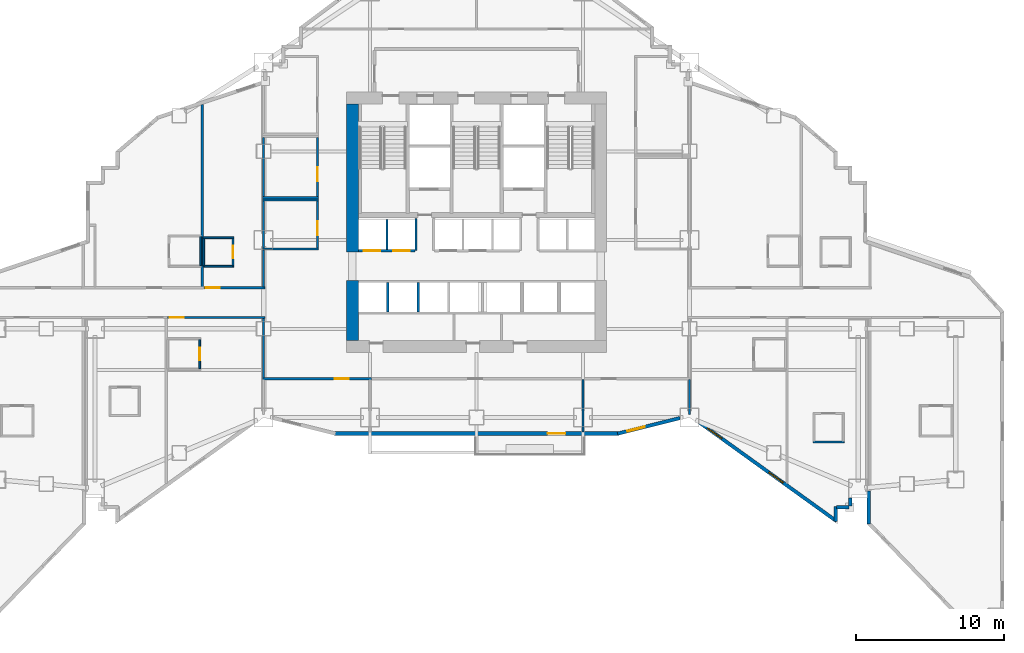
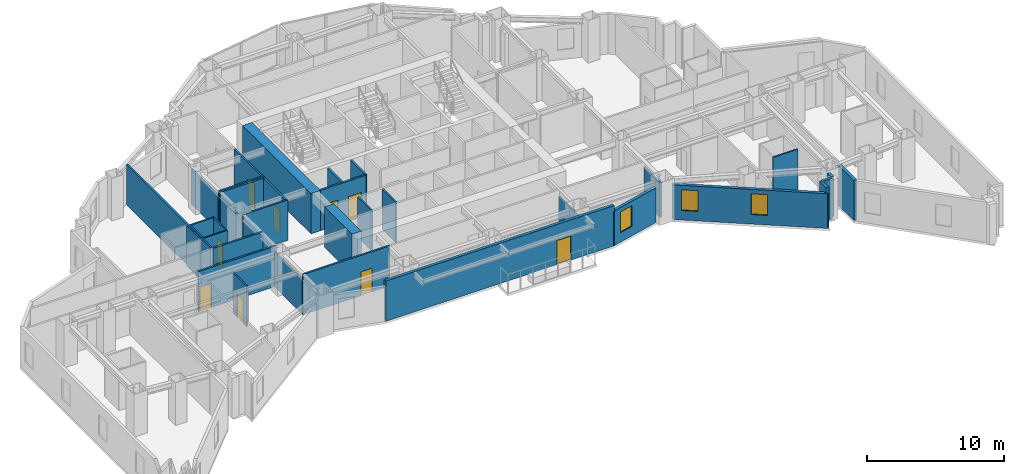
# One storey, part 8 of 17: 36 walls, 10 doors, 3 windows, 13 openings.
"""IFC4 building model written with IfcOpenShell, lengths in metres."""

from ifc_helpers import new_model, si_unit, direction, frame, frame_2d, origin, place, context, subcontext, project, spatial, rectangle, extrude, material, layer, layer_set, type_object, element, fill, save


model = new_model("IFC4")

# Units and contexts
model_context = context("Model", 3, precision=1e-05, world=origin(), true_north=direction((0.0, 1.0)))
body_context = subcontext(model_context, "Body", "Model", "MODEL_VIEW")
ifc_project = project(units=[si_unit("LENGTHUNIT", "METRE"), si_unit("AREAUNIT", "SQUARE_METRE"), si_unit("VOLUMEUNIT", "CUBIC_METRE"), si_unit("PLANEANGLEUNIT", "RADIAN"), si_unit("MASSUNIT", "GRAM", prefix="KILO")], contexts=[model_context])

# Site, building, storey
site_placement = place(None, origin())
site = spatial("IfcSite", under=ifc_project, at=site_placement, CompositionType="ELEMENT")
building_placement = place(site_placement, origin())
building = spatial("IfcBuilding", under=site, at=building_placement, Name="Haolan Belvedere Tower", CompositionType="ELEMENT")
storey_placement = place(building_placement, frame((0.0, 0.0, 35.39990234375)))
storey = spatial("IfcBuildingStorey", under=building, at=storey_placement, Name="L08", CompositionType="ELEMENT", Elevation=35.39990234375)

# Walls
ifc_material_1 = material(Name="Concrete C70/85", Category="concrete")
ifc_layer_1 = layer(ifc_material_1, 0.800048828125, Name="Concrete C70/85")
ifc_layer_set_1 = layer_set([ifc_layer_1], Name="Concrete C70/85")
wall_type_1 = type_object("IfcWallType", Name="WL-CORE-800", PredefinedType="SHEAR", material=ifc_layer_set_1)
wall_1_placement = place(storey_placement, frame((30.0, 26.800048828125, 0.0), z_axis=(0.0, 0.0, 1.0), x_axis=(0.0, 1.0, 0.0)))
element("IfcWall", 1, at=wall_1_placement, inside=storey, type_object=wall_type_1, Name="L08 central core shear wall WS", PredefinedType="SHEAR", context=body_context, shape_type="SweptSolid", body=[
    extrude(rectangle(XDim=4.050048828125, YDim=0.800048828125, at=frame_2d((2.02490234375, 0.0))), origin(), (0.0, 0.0, 1.0), 3.60009765625),
])
wall_2_placement = place(storey_placement, frame((30.0, 32.800048828125, 0.0), z_axis=(0.0, 0.0, 1.0), x_axis=(0.0, 1.0, 0.0)))
element("IfcWall", 2, at=wall_2_placement, inside=storey, type_object=wall_type_1, Name="L08 central core shear wall WN", PredefinedType="SHEAR", context=body_context, shape_type="SweptSolid", body=[
    extrude(rectangle(XDim=10.0, YDim=0.800048828125, at=frame_2d((5.0, 0.0))), origin(), (0.0, 0.0, 1.0), 3.60009765625),
])

# Wall, opening, door
ifc_material_2 = material(Name="Precast concrete C40/50", Category="concrete")
ifc_layer_2 = layer(ifc_material_2, 0.239990234375, Name="Precast concrete C40/50")
ifc_layer_set_2 = layer_set([ifc_layer_2], Name="Precast concrete C40/50")
wall_type_2 = type_object("IfcWallType", Name="WL-EXT-240", PredefinedType="SOLIDWALL", material=ifc_layer_set_2)
wall_3_placement = place(storey_placement, frame((28.759765625, 20.52001953125, 0.0), z_axis=(0.0, 0.0, 1.0), x_axis=(1.0, 0.0, 0.0)))
wall_3 = element("IfcWall", 3, at=wall_3_placement, inside=storey, type_object=wall_type_2, Name="L08 pale-metal exterior spandrel wall 13.1", PredefinedType="SOLIDWALL", context=body_context, shape_type="SweptSolid", body=[
    extrude(rectangle(XDim=19.280517578125, YDim=0.239990234375, at=frame_2d((9.64013671875, 0.0))), origin(), (0.0, 0.0, 1.0), 3.60009765625),
])
opening_1_placement = place(wall_3_placement, frame((15.64013671875, 0.0, 0.0), z_axis=(0.0, 0.0, 1.0), x_axis=(-1.0, 0.0, 0.0)))
opening_1 = element("IfcOpeningElement", 4, at=opening_1_placement, cuts=wall_3, Name="Opening BD-01", PredefinedType="OPENING", context=body_context, shape_type="SweptSolid", body=[
    extrude(rectangle(XDim=1.199951171875, YDim=2.14990234375, at=frame_2d((0.60009765625, 1.074951171875))), frame((0.0, 0.1298828125, 0.0), z_axis=(0.0, -1.0, 0.0), x_axis=(1.0, 0.0, 0.0)), (0.0, 0.0, 1.0), 0.260009765625),
])
ifc_material_3 = material(Name="Thermally broken pale-metal aluminium and Low-E glass", Category="aluminium")
door_type_1 = type_object("IfcDoorType", Name="DR-BAL-1200", OperationType="NOTDEFINED", PredefinedType="DOOR", material=ifc_material_3)
door_1_placement = place(opening_1_placement, origin())
door_1 = element("IfcDoor", 5, at=door_1_placement, inside=storey, type_object=door_type_1, Name="L08 tree-balcony access door 1", OperationType="SINGLE_SWING_RIGHT", OverallHeight=2.14990234375, OverallWidth=1.199951171875, PredefinedType="DOOR", context=body_context, shape_type="SweptSolid", body=[
    extrude(rectangle(XDim=1.199951171875, YDim=2.14990234375, at=frame_2d((0.60009765625, 1.074951171875))), frame((0.0, 0.02490234375, 0.0), z_axis=(0.0, -1.0, 0.0), x_axis=(1.0, 0.0, 0.0)), (0.0, 0.0, 1.0), 0.050048828125),
])
fill(opening_1, door_1)

# Wall, opening, window
wall_4_placement = place(storey_placement, frame((47.931884765625, 20.506591796875, 0.0), z_axis=(0.0, 0.0, 1.0), x_axis=(0.970135906278, 0.242561998982, 0.0)))
wall_4 = element("IfcWall", 6, at=wall_4_placement, inside=storey, type_object=wall_type_2, Name="L08 pale-metal exterior spandrel wall 14.1", PredefinedType="SOLIDWALL", context=body_context, shape_type="SweptSolid", body=[
    extrude(rectangle(XDim=4.356201171875, YDim=0.239990234375, at=frame_2d((2.17822265625, 0.0))), origin(), (0.0, 0.0, 1.0), 3.09716796875),
])
opening_2_placement = place(wall_4_placement, frame((0.699951171875, 0.0, 0.85009765625)))
opening_2 = element("IfcOpeningElement", 7, at=opening_2_placement, cuts=wall_4, Name="Opening W-01", PredefinedType="OPENING", context=body_context, shape_type="SweptSolid", body=[
    extrude(rectangle(XDim=1.199951171875, YDim=1.85009765625, at=frame_2d((0.60009765625, 0.925048828125))), frame((0.0, 0.1298828125, 0.0), z_axis=(0.0, -1.0, 0.0), x_axis=(1.0, 0.0, 0.0)), (0.0, 0.0, 1.0), 0.260009765625),
])
ifc_material_4 = material(Name="Anodised aluminium 6063-T6 and Low-E glass", Category="aluminium")
window_type = type_object("IfcWindowType", Name="WN-DECO-Z1", PartitioningType="SINGLE_PANEL", PredefinedType="WINDOW", material=ifc_material_4)
window_1_placement = place(opening_2_placement, origin())
window_1 = element("IfcWindow", 8, at=window_1_placement, inside=storey, type_object=window_type, Name="L08 Art Deco chevron window 1", OverallHeight=1.85009765625, OverallWidth=1.199951171875, PartitioningType="SINGLE_PANEL", PredefinedType="WINDOW", context=body_context, shape_type="SweptSolid", body=[
    extrude(rectangle(XDim=1.199951171875, YDim=1.85009765625, at=frame_2d((0.60009765625, 0.925048828125))), frame((0.0, 0.030029296875, 0.0), z_axis=(0.0, -1.0, 0.0), x_axis=(1.0, 0.0, 0.0)), (0.0, 0.0, 1.0), 0.06005859375),
])
fill(opening_2, window_1)

# Wall, openings, windows
wall_5_placement = place(storey_placement, frame((53.44189453125, 21.28564453125, 0.0), z_axis=(0.0, 0.0, 1.0), x_axis=(0.811542842993, -0.584292917967, 0.0)))
wall_5 = element("IfcWall", 9, at=wall_5_placement, inside=storey, type_object=wall_type_2, Name="L08 pale-metal exterior spandrel wall 15.1", PredefinedType="SOLIDWALL", context=body_context, shape_type="SweptSolid", body=[
    extrude(rectangle(XDim=11.4384765625, YDim=0.239990234375, at=frame_2d((5.71923828125, 0.0))), origin(), (0.0, 0.0, 1.0), 3.09716796875),
])
opening_3_placement = place(wall_5_placement, frame((0.699951171875, 0.0, 0.85009765625)))
opening_3 = element("IfcOpeningElement", 10, at=opening_3_placement, cuts=wall_5, Name="Opening W-01", PredefinedType="OPENING", context=body_context, shape_type="SweptSolid", body=[
    extrude(rectangle(XDim=1.199951171875, YDim=1.85009765625, at=frame_2d((0.60009765625, 0.925048828125))), frame((0.0, 0.1298828125, 0.0), z_axis=(0.0, -1.0, 0.0), x_axis=(1.0, 0.0, 0.0)), (0.0, 0.0, 1.0), 0.260009765625),
])
opening_4_placement = place(wall_5_placement, frame((5.818603515625, 0.0, 0.85009765625)))
opening_4 = element("IfcOpeningElement", 11, at=opening_4_placement, cuts=wall_5, Name="Opening W-01", PredefinedType="OPENING", context=body_context, shape_type="SweptSolid", body=[
    extrude(rectangle(XDim=1.199951171875, YDim=1.85009765625, at=frame_2d((0.60009765625, 0.925048828125))), frame((0.0, 0.1298828125, 0.0), z_axis=(0.0, -1.0, 0.0), x_axis=(1.0, 0.0, 0.0)), (0.0, 0.0, 1.0), 0.260009765625),
])
window_2_placement = place(opening_3_placement, origin())
window_2 = element("IfcWindow", 12, at=window_2_placement, inside=storey, type_object=window_type, Name="L08 Art Deco chevron window 1", OverallHeight=1.85009765625, OverallWidth=1.199951171875, PartitioningType="SINGLE_PANEL", PredefinedType="WINDOW", context=body_context, shape_type="SweptSolid", body=[
    extrude(rectangle(XDim=1.199951171875, YDim=1.85009765625, at=frame_2d((0.60009765625, 0.925048828125))), frame((0.0, 0.030029296875, 0.0), z_axis=(0.0, -1.0, 0.0), x_axis=(1.0, 0.0, 0.0)), (0.0, 0.0, 1.0), 0.06005859375),
])
fill(opening_3, window_2)
window_3_placement = place(opening_4_placement, origin())
window_3 = element("IfcWindow", 13, at=window_3_placement, inside=storey, type_object=window_type, Name="L08 Art Deco chevron window 2", OverallHeight=1.85009765625, OverallWidth=1.199951171875, PartitioningType="SINGLE_PANEL", PredefinedType="WINDOW", context=body_context, shape_type="SweptSolid", body=[
    extrude(rectangle(XDim=1.199951171875, YDim=1.85009765625, at=frame_2d((0.60009765625, 0.925048828125))), frame((0.0, 0.030029296875, 0.0), z_axis=(0.0, -1.0, 0.0), x_axis=(1.0, 0.0, 0.0)), (0.0, 0.0, 1.0), 0.06005859375),
])
fill(opening_4, window_3)

# Walls
wall_6_placement = place(storey_placement, frame((62.679931640625, 14.579345703125, 0.0), z_axis=(0.0, 0.0, 1.0), x_axis=(0.0, 1.0, 0.0)))
element("IfcWall", 14, at=wall_6_placement, inside=storey, type_object=wall_type_2, Name="L08 pale-metal exterior spandrel wall 16.1", PredefinedType="SOLIDWALL", context=body_context, shape_type="SweptSolid", body=[
    extrude(rectangle(XDim=0.99560546875, YDim=0.239990234375, at=frame_2d((0.497802734375, 0.0))), origin(), (0.0, 0.0, 1.0), 3.60009765625),
])
wall_7_placement = place(storey_placement, frame((62.7451171875, 15.52001953125, 0.0), z_axis=(0.0, 0.0, 1.0), x_axis=(1.0, 0.0, 0.0)))
element("IfcWall", 15, at=wall_7_placement, inside=storey, type_object=wall_type_2, Name="L08 pale-metal exterior spandrel wall 17.1", PredefinedType="SOLIDWALL", context=body_context, shape_type="SweptSolid", body=[
    extrude(rectangle(XDim=0.849853515625, YDim=0.239990234375, at=frame_2d((0.4248046875, 0.0))), origin(), (0.0, 0.0, 1.0), 3.60009765625),
])
wall_8_placement = place(storey_placement, frame((63.679931640625, 15.60498046875, 0.0), z_axis=(0.0, 0.0, 1.0), x_axis=(0.0, 1.0, 0.0)))
element("IfcWall", 16, at=wall_8_placement, inside=storey, type_object=wall_type_2, Name="L08 pale-metal exterior spandrel wall 18.1", PredefinedType="SOLIDWALL", context=body_context, shape_type="SweptSolid", body=[
    extrude(rectangle(XDim=0.552978515625, YDim=0.239990234375, at=frame_2d((0.2763671875, 0.0))), origin(), (0.0, 0.0, 1.0), 3.60009765625),
])
wall_9_placement = place(storey_placement, frame((64.919921875, 16.639892578125, 0.0), z_axis=(0.0, 0.0, 1.0), x_axis=(0.0, -1.0, 0.0)))
element("IfcWall", 17, at=wall_9_placement, inside=storey, type_object=wall_type_2, Name="L08 pale-metal exterior spandrel wall 20.1", PredefinedType="SOLIDWALL", context=body_context, shape_type="SweptSolid", body=[
    extrude(rectangle(XDim=2.246337890625, YDim=0.239990234375, at=frame_2d((1.123046875, 0.0))), origin(), (0.0, 0.0, 1.0), 3.60009765625),
])
ifc_material_5 = material(Name="Double gypsum acoustic stud partition", Category="masonry")
ifc_layer_3 = layer(ifc_material_5, 0.14990234375, Name="Double gypsum acoustic stud partition")
ifc_layer_set_3 = layer_set([ifc_layer_3], Name="Double gypsum acoustic stud partition")
wall_type_3 = type_object("IfcWallType", Name="WL-PART-150", PredefinedType="PARTITIONING", material=ifc_layer_set_3)
for number, where, z_axis, x_axis, name in (
    (18, (23.919921875, 36.300048828125, 0.0), (0.0, 0.0, 1.0), (1.0, 0.0, 0.0), "L08 interior partition IW-L08-AWC-N"),
    (19, (23.919921875, 33.0, 0.0), (0.0, 0.0, 1.0), (1.0, 0.0, 0.0), "L08 interior partition IW-L08-AWC-S"),
):
    element("IfcWall", number, at=place(storey_placement, frame(where, z_axis=z_axis, x_axis=x_axis)), inside=storey, type_object=wall_type_3, Name=name, PredefinedType="PARTITIONING", context=body_context, shape_type="SweptSolid", body=[
        extrude(rectangle(XDim=3.800048828125, YDim=0.14990234375, at=frame_2d((1.89990234375, 0.0))), origin(), (0.0, 0.0, 1.0), 3.60009765625),
    ])
wall_10_placement = place(storey_placement, frame((24.0, 33.06005859375, 0.0), z_axis=(0.0, 0.0, 1.0), x_axis=(0.0, 1.0, 0.0)))
element("IfcWall", 20, at=wall_10_placement, inside=storey, type_object=wall_type_3, Name="L08 interior partition IW-L08-AWC-W", PredefinedType="PARTITIONING", context=body_context, shape_type="SweptSolid", body=[
    extrude(rectangle(XDim=3.179931640625, YDim=0.14990234375, at=frame_2d((1.58984375, 0.0))), origin(), (0.0, 0.0, 1.0), 3.09716796875),
])

# Wall, opening, door
wall_11_placement = place(storey_placement, frame((27.639892578125, 33.06005859375, 0.0), z_axis=(0.0, 0.0, 1.0), x_axis=(0.0, 1.0, 0.0)))
wall_11 = element("IfcWall", 21, at=wall_11_placement, inside=storey, type_object=wall_type_3, Name="L08 interior partition IW-L08-AWC-E", PredefinedType="PARTITIONING", context=body_context, shape_type="SweptSolid", body=[
    extrude(rectangle(XDim=3.179931640625, YDim=0.14990234375, at=frame_2d((1.58984375, 0.0))), origin(), (0.0, 0.0, 1.0), 3.60009765625),
])
opening_5_placement = place(wall_11_placement, frame((1.81005859375, 0.0, 0.0), z_axis=(0.0, 0.0, 1.0), x_axis=(-1.0, 0.0, 0.0)))
opening_5 = element("IfcOpeningElement", 22, at=opening_5_placement, cuts=wall_11, Name="Opening ID-03", PredefinedType="OPENING", context=body_context, shape_type="SweptSolid", body=[
    extrude(rectangle(XDim=0.949951171875, YDim=2.1201171875, at=frame_2d((0.47509765625, 1.06005859375))), frame((0.0, 0.0849609375, 0.0), z_axis=(0.0, -1.0, 0.0), x_axis=(1.0, 0.0, 0.0)), (0.0, 0.0, 1.0), 0.169921875),
])
ifc_material_6 = material(Name="Painted solid-core timber", Category="wood")
door_type_2 = type_object("IfcDoorType", Name="DR-INT-950", OperationType="NOTDEFINED", PredefinedType="DOOR", material=ifc_material_6)
door_2_placement = place(opening_5_placement, origin())
door_2 = element("IfcDoor", 23, at=door_2_placement, inside=storey, type_object=door_type_2, Name="L08 door ID-L08-AWC", OperationType="SINGLE_SWING_LEFT", OverallHeight=2.1201171875, OverallWidth=0.949951171875, PredefinedType="DOOR", context=body_context, shape_type="SweptSolid", body=[
    extrude(rectangle(XDim=0.949951171875, YDim=2.1201171875, at=frame_2d((0.47509765625, 1.06005859375))), frame((0.0, 0.02490234375, 0.0), z_axis=(0.0, -1.0, 0.0), x_axis=(1.0, 0.0, 0.0)), (0.0, 0.0, 1.0), 0.050048828125),
])
fill(opening_5, door_2)

# Walls
wall_12_placement = place(storey_placement, frame((23.919921875, 36.4599609375, 0.0), z_axis=(0.0, 0.0, 1.0), x_axis=(1.0, 0.0, 0.0)))
element("IfcWall", 24, at=wall_12_placement, inside=storey, type_object=wall_type_3, Name="L08 interior partition IW-L08-PNT-S", PredefinedType="PARTITIONING", context=body_context, shape_type="SweptSolid", body=[
    extrude(rectangle(XDim=3.800048828125, YDim=0.14990234375, at=frame_2d((1.89990234375, 0.0))), origin(), (0.0, 0.0, 1.0), 3.60009765625),
])
wall_13_placement = place(storey_placement, frame((24.0, 36.52001953125, 0.0), z_axis=(0.0, 0.0, 1.0), x_axis=(0.0, 1.0, 0.0)))
element("IfcWall", 25, at=wall_13_placement, inside=storey, type_object=wall_type_3, Name="L08 interior partition IW-L08-PNT-W", PredefinedType="PARTITIONING", context=body_context, shape_type="SweptSolid", body=[
    extrude(rectangle(XDim=4.02001953125, YDim=0.14990234375, at=frame_2d((2.010009765625, 0.0))), origin(), (0.0, 0.0, 1.0), 3.09716796875),
])

# Wall, opening, door
wall_14_placement = place(storey_placement, frame((27.639892578125, 36.52001953125, 0.0), z_axis=(0.0, 0.0, 1.0), x_axis=(0.0, 1.0, 0.0)))
wall_14 = element("IfcWall", 26, at=wall_14_placement, inside=storey, type_object=wall_type_3, Name="L08 interior partition IW-L08-PNT-E", PredefinedType="PARTITIONING", context=body_context, shape_type="SweptSolid", body=[
    extrude(rectangle(XDim=4.02001953125, YDim=0.14990234375, at=frame_2d((2.010009765625, 0.0))), origin(), (0.0, 0.0, 1.0), 3.60009765625),
])
opening_6_placement = place(wall_14_placement, frame((2.010009765625, 0.0, 0.0), z_axis=(0.0, 0.0, 1.0), x_axis=(-1.0, 0.0, 0.0)))
opening_6 = element("IfcOpeningElement", 27, at=opening_6_placement, cuts=wall_14, Name="Opening ID-03", PredefinedType="OPENING", context=body_context, shape_type="SweptSolid", body=[
    extrude(rectangle(XDim=0.949951171875, YDim=2.1201171875, at=frame_2d((0.47509765625, 1.06005859375))), frame((0.0, 0.0849609375, 0.0), z_axis=(0.0, -1.0, 0.0), x_axis=(1.0, 0.0, 0.0)), (0.0, 0.0, 1.0), 0.169921875),
])
door_3_placement = place(opening_6_placement, origin())
door_3 = element("IfcDoor", 28, at=door_3_placement, inside=storey, type_object=door_type_2, Name="L08 door ID-L08-PNT", OperationType="SINGLE_SWING_RIGHT", OverallHeight=2.1201171875, OverallWidth=0.949951171875, PredefinedType="DOOR", context=body_context, shape_type="SweptSolid", body=[
    extrude(rectangle(XDim=0.949951171875, YDim=2.1201171875, at=frame_2d((0.47509765625, 1.06005859375))), frame((0.0, 0.02490234375, 0.0), z_axis=(0.0, -1.0, 0.0), x_axis=(1.0, 0.0, 0.0)), (0.0, 0.0, 1.0), 0.050048828125),
])
fill(opening_6, door_3)

wall_15_placement = place(storey_placement, frame((23.919921875, 24.219970703125, 0.0), z_axis=(0.0, 0.0, 1.0), x_axis=(1.0, 0.0, 0.0)))
wall_15 = element("IfcWall", 29, at=wall_15_placement, inside=storey, type_object=wall_type_3, Name="L08 interior partition IW-L08-KS1-N", PredefinedType="PARTITIONING", context=body_context, shape_type="SweptSolid", body=[
    extrude(rectangle(XDim=7.360107421875, YDim=0.14990234375, at=frame_2d((3.68017578125, 0.0))), origin(), (0.0, 0.0, 1.0), 3.60009765625),
])
opening_7_placement = place(wall_15_placement, frame((5.844970703125, 0.0, 0.0), z_axis=(0.0, 0.0, 1.0), x_axis=(-1.0, 0.0, 0.0)))
opening_7 = element("IfcOpeningElement", 30, at=opening_7_placement, cuts=wall_15, Name="Opening ID-03", PredefinedType="OPENING", context=body_context, shape_type="SweptSolid", body=[
    extrude(rectangle(XDim=0.949951171875, YDim=2.1201171875, at=frame_2d((0.47509765625, 1.06005859375))), frame((0.0, 0.0849609375, 0.0), z_axis=(0.0, -1.0, 0.0), x_axis=(1.0, 0.0, 0.0)), (0.0, 0.0, 1.0), 0.169921875),
])
door_4_placement = place(opening_7_placement, origin())
door_4 = element("IfcDoor", 31, at=door_4_placement, inside=storey, type_object=door_type_2, Name="L08 door ID-L08-KS1", OperationType="SINGLE_SWING_RIGHT", OverallHeight=2.1201171875, OverallWidth=0.949951171875, PredefinedType="DOOR", context=body_context, shape_type="SweptSolid", body=[
    extrude(rectangle(XDim=0.949951171875, YDim=2.1201171875, at=frame_2d((0.47509765625, 1.06005859375))), frame((0.0, 0.02490234375, 0.0), z_axis=(0.0, -1.0, 0.0), x_axis=(1.0, 0.0, 0.0)), (0.0, 0.0, 1.0), 0.050048828125),
])
fill(opening_7, door_4)

# Walls
wall_16_placement = place(storey_placement, frame((45.60009765625, 20.625, 0.0), z_axis=(0.0, 0.0, 1.0), x_axis=(0.0, 1.0, 0.0)))
element("IfcWall", 32, at=wall_16_placement, inside=storey, type_object=wall_type_3, Name="L08 interior partition IW-L08-KS2-E", PredefinedType="PARTITIONING", context=body_context, shape_type="SweptSolid", body=[
    extrude(rectangle(XDim=3.534912109375, YDim=0.14990234375, at=frame_2d((1.767578125, 0.0))), origin(), (0.0, 0.0, 1.0), 2.985107421875),
])
wall_17_placement = place(storey_placement, frame((52.800048828125, 21.818603515625, 0.0), z_axis=(0.0, 0.0, 1.0), x_axis=(0.0, 1.0, 0.0)))
element("IfcWall", 33, at=wall_17_placement, inside=storey, type_object=wall_type_3, Name="L08 interior partition IW-L08-KS3-E", PredefinedType="PARTITIONING", context=body_context, shape_type="SweptSolid", body=[
    extrude(rectangle(XDim=2.34130859375, YDim=0.14990234375, at=frame_2d((1.170654296875, 0.0))), origin(), (0.0, 0.0, 1.0), 3.09716796875),
])
wall_18_placement = place(storey_placement, frame((19.85009765625, 30.43994140625, 0.0), z_axis=(0.0, 0.0, 1.0), x_axis=(0.0, 1.0, 0.0)))
element("IfcWall", 34, at=wall_18_placement, inside=storey, type_object=wall_type_3, Name="L08 interior partition IW-L08-T2N1-E", PredefinedType="PARTITIONING", context=body_context, shape_type="SweptSolid", body=[
    extrude(rectangle(XDim=12.339599609375, YDim=0.14990234375, at=frame_2d((6.169921875, 0.0))), origin(), (0.0, 0.0, 1.0), 3.60009765625),
])

# Wall, opening, door
wall_19_placement = place(storey_placement, frame((19.951904296875, 30.3798828125, 0.0), z_axis=(0.0, 0.0, 1.0), x_axis=(1.0, 0.0, 0.0)))
wall_19 = element("IfcWall", 35, at=wall_19_placement, inside=storey, type_object=wall_type_3, Name="L08 interior partition IW-L08-T2N2-S", PredefinedType="PARTITIONING", context=body_context, shape_type="SweptSolid", body=[
    extrude(rectangle(XDim=4.148193359375, YDim=0.14990234375, at=frame_2d((2.07421875, 0.0))), origin(), (0.0, 0.0, 1.0), 3.60009765625),
])
opening_8_placement = place(wall_19_placement, frame((0.139892578125, 0.0, 0.0)))
opening_8 = element("IfcOpeningElement", 36, at=opening_8_placement, cuts=wall_19, Name="Opening ID-02", PredefinedType="OPENING", context=body_context, shape_type="SweptSolid", body=[
    extrude(rectangle(XDim=0.949951171875, YDim=2.14990234375, at=frame_2d((0.47509765625, 1.074951171875))), frame((0.0, 0.0849609375, 0.0), z_axis=(0.0, -1.0, 0.0), x_axis=(1.0, 0.0, 0.0)), (0.0, 0.0, 1.0), 0.169921875),
])
ifc_material_7 = material(Name="Acoustic oak veneer fire-rated timber", Category="wood")
door_type_3 = type_object("IfcDoorType", Name="DR-GUEST-950", OperationType="NOTDEFINED", PredefinedType="DOOR", material=ifc_material_7)
door_5_placement = place(opening_8_placement, origin())
door_5 = element("IfcDoor", 37, at=door_5_placement, inside=storey, type_object=door_type_3, Name="L08 door ID-L08-T2N2-ENT", OperationType="SINGLE_SWING_RIGHT", OverallHeight=2.14990234375, OverallWidth=0.949951171875, PredefinedType="DOOR", context=body_context, shape_type="SweptSolid", body=[
    extrude(rectangle(XDim=0.949951171875, YDim=2.14990234375, at=frame_2d((0.47509765625, 1.074951171875))), frame((0.0, 0.02490234375, 0.0), z_axis=(0.0, -1.0, 0.0), x_axis=(1.0, 0.0, 0.0)), (0.0, 0.0, 1.0), 0.050048828125),
])
fill(opening_8, door_5)

# Wall
wall_20_placement = place(storey_placement, frame((24.0, 30.43994140625, 0.0), z_axis=(0.0, 0.0, 1.0), x_axis=(0.0, 1.0, 0.0)))
element("IfcWall", 38, at=wall_20_placement, inside=storey, type_object=wall_type_3, Name="L08 interior partition IW-L08-T2N2-E", PredefinedType="PARTITIONING", context=body_context, shape_type="SweptSolid", body=[
    extrude(rectangle(XDim=2.5, YDim=0.14990234375, at=frame_2d((1.25, 0.0))), origin(), (0.0, 0.0, 1.0), 3.09716796875),
])

# Wall, opening, door
wall_21_placement = place(storey_placement, frame((17.511962890625, 28.3701171875, 0.0), z_axis=(0.0, 0.0, 1.0), x_axis=(1.0, 0.0, 0.0)))
wall_21 = element("IfcWall", 39, at=wall_21_placement, inside=storey, type_object=wall_type_3, Name="L08 interior partition IW-L08-T2S2-N", PredefinedType="PARTITIONING", context=body_context, shape_type="SweptSolid", body=[
    extrude(rectangle(XDim=6.588134765625, YDim=0.14990234375, at=frame_2d((3.2939453125, 0.0))), origin(), (0.0, 0.0, 1.0), 3.60009765625),
])
opening_9_placement = place(wall_21_placement, frame((1.08984375, 0.0, 0.0), z_axis=(0.0, 0.0, 1.0), x_axis=(-1.0, 0.0, 0.0)))
opening_9 = element("IfcOpeningElement", 40, at=opening_9_placement, cuts=wall_21, Name="Opening ID-01", PredefinedType="OPENING", context=body_context, shape_type="SweptSolid", body=[
    extrude(rectangle(XDim=0.949951171875, YDim=2.179931640625, at=frame_2d((0.47509765625, 1.08984375))), frame((0.0, 0.0849609375, 0.0), z_axis=(0.0, -1.0, 0.0), x_axis=(1.0, 0.0, 0.0)), (0.0, 0.0, 1.0), 0.169921875),
])
ifc_material_8 = material(Name="Acoustic walnut veneer fire-rated timber", Category="wood")
door_type_4 = type_object("IfcDoorType", Name="DR-SUITE-950", OperationType="NOTDEFINED", PredefinedType="DOOR", material=ifc_material_8)
door_6_placement = place(opening_9_placement, origin())
door_6 = element("IfcDoor", 41, at=door_6_placement, inside=storey, type_object=door_type_4, Name="L08 door ID-L08-T2S2-ENT", OperationType="SINGLE_SWING_RIGHT", OverallHeight=2.179931640625, OverallWidth=0.949951171875, PredefinedType="DOOR", context=body_context, shape_type="SweptSolid", body=[
    extrude(rectangle(XDim=0.949951171875, YDim=2.179931640625, at=frame_2d((0.47509765625, 1.08984375))), frame((0.0, 0.02490234375, 0.0), z_axis=(0.0, -1.0, 0.0), x_axis=(1.0, 0.0, 0.0)), (0.0, 0.0, 1.0), 0.050048828125),
])
fill(opening_9, door_6)

# Walls
wall_22_placement = place(storey_placement, frame((24.0, 24.280029296875, 0.0), z_axis=(0.0, 0.0, 1.0), x_axis=(0.0, 1.0, 0.0)))
element("IfcWall", 42, at=wall_22_placement, inside=storey, type_object=wall_type_3, Name="L08 interior partition IW-L08-T2S2-E", PredefinedType="PARTITIONING", context=body_context, shape_type="SweptSolid", body=[
    extrude(rectangle(XDim=4.030029296875, YDim=0.14990234375, at=frame_2d((2.01513671875, 0.0))), origin(), (0.0, 0.0, 1.0), 3.09716796875),
])
ifc_material_9 = material(Name="Gypsum fire shaftwall assembly", Category="masonry")
ifc_layer_4 = layer(ifc_material_9, 0.1650390625, Name="Gypsum fire shaftwall assembly")
ifc_layer_set_4 = layer_set([ifc_layer_4], Name="Gypsum fire shaftwall assembly")
wall_type_4 = type_object("IfcWallType", Name="WL-SHAFT-160", PredefinedType="SOLIDWALL", material=ifc_layer_set_4)
wall_23_placement = place(storey_placement, frame((34.31005859375, 32.8798828125, 0.0), z_axis=(0.0, 0.0, 1.0), x_axis=(0.0, 1.0, 0.0)))
element("IfcWall", 43, at=wall_23_placement, inside=storey, type_object=wall_type_4, Name="L08 interior partition IW-L08-SVP-W-SV1", PredefinedType="SOLIDWALL", context=body_context, shape_type="SweptSolid", body=[
    extrude(rectangle(XDim=2.170166015625, YDim=0.14990234375, at=frame_2d((1.0849609375, 0.0))), origin(), (0.0, 0.0, 1.0), 3.60009765625),
])

# Wall, openings, doors
wall_24_placement = place(storey_placement, frame((30.39990234375, 32.8798828125, 0.0), z_axis=(0.0, 0.0, 1.0), x_axis=(1.0, 0.0, 0.0)))
wall_24 = element("IfcWall", 44, at=wall_24_placement, inside=storey, type_object=wall_type_4, Name="L08 interior partition IW-L08-ROW-PN1", PredefinedType="SOLIDWALL", context=body_context, shape_type="SweptSolid", body=[
    extrude(rectangle(XDim=3.85009765625, YDim=0.159912109375, at=frame_2d((1.925048828125, 0.0))), origin(), (0.0, 0.0, 1.0), 3.60009765625),
])
opening_10_placement = place(wall_24_placement, frame((1.47998046875, 0.0, 0.0), z_axis=(0.0, 0.0, 1.0), x_axis=(-1.0, 0.0, 0.0)))
opening_10 = element("IfcOpeningElement", 45, at=opening_10_placement, cuts=wall_24, Name="Opening LD-01", PredefinedType="OPENING", context=body_context, shape_type="SweptSolid", body=[
    extrude(rectangle(XDim=1.10009765625, YDim=2.199951171875, at=frame_2d((0.550048828125, 1.10009765625))), frame((0.0, 0.08984375, 0.0), z_axis=(0.0, -1.0, 0.0), x_axis=(1.0, 0.0, 0.0)), (0.0, 0.0, 1.0), 0.179931640625),
])
opening_11_placement = place(wall_24_placement, frame((3.47021484375, 0.0, 0.0), z_axis=(0.0, 0.0, 1.0), x_axis=(-1.0, 0.0, 0.0)))
opening_11 = element("IfcOpeningElement", 46, at=opening_11_placement, cuts=wall_24, Name="Opening LD-01", PredefinedType="OPENING", context=body_context, shape_type="SweptSolid", body=[
    extrude(rectangle(XDim=1.10009765625, YDim=2.199951171875, at=frame_2d((0.550048828125, 1.10009765625))), frame((0.0, 0.08984375, 0.0), z_axis=(0.0, -1.0, 0.0), x_axis=(1.0, 0.0, 0.0)), (0.0, 0.0, 1.0), 0.179931640625),
])
ifc_material_10 = material(Name="Brushed champagne stainless steel 316L", Category="steel")
door_type_5 = type_object("IfcDoorType", Name="DR-LIFT-1100", OperationType="SLIDING_TO_LEFT", PredefinedType="DOOR", material=ifc_material_10)
door_7_placement = place(opening_10_placement, origin())
door_7 = element("IfcDoor", 47, at=door_7_placement, inside=storey, type_object=door_type_5, Name="L08 door ID-L08-LD-PL1", OperationType="SLIDING_TO_LEFT", OverallHeight=2.199951171875, OverallWidth=1.10009765625, PredefinedType="DOOR", context=body_context, shape_type="SweptSolid", body=[
    extrude(rectangle(XDim=1.10009765625, YDim=2.199951171875, at=frame_2d((0.550048828125, 1.10009765625))), frame((0.0, 0.02490234375, 0.0), z_axis=(0.0, -1.0, 0.0), x_axis=(1.0, 0.0, 0.0)), (0.0, 0.0, 1.0), 0.050048828125),
])
fill(opening_10, door_7)
door_8_placement = place(opening_11_placement, origin())
door_8 = element("IfcDoor", 48, at=door_8_placement, inside=storey, type_object=door_type_5, Name="L08 door ID-L08-LD-PL2", OperationType="SLIDING_TO_LEFT", OverallHeight=2.199951171875, OverallWidth=1.10009765625, PredefinedType="DOOR", context=body_context, shape_type="SweptSolid", body=[
    extrude(rectangle(XDim=1.10009765625, YDim=2.199951171875, at=frame_2d((0.550048828125, 1.10009765625))), frame((0.0, 0.02490234375, 0.0), z_axis=(0.0, -1.0, 0.0), x_axis=(1.0, 0.0, 0.0)), (0.0, 0.0, 1.0), 0.050048828125),
])
fill(opening_11, door_8)

# Walls
wall_25_placement = place(storey_placement, frame((32.340087890625, 32.949951171875, 0.0), z_axis=(0.0, 0.0, 1.0), x_axis=(0.0, 1.0, 0.0)))
element("IfcWall", 49, at=wall_25_placement, inside=storey, type_object=wall_type_4, Name="L08 interior partition IW-L08-DIV-PL1", PredefinedType="SOLIDWALL", context=body_context, shape_type="SweptSolid", body=[
    extrude(rectangle(XDim=2.050048828125, YDim=0.14990234375, at=frame_2d((1.02490234375, 0.0))), origin(), (0.0, 0.0, 1.0), 3.60009765625),
])
for number, where, z_axis, x_axis, name in (
    (50, (32.39990234375, 28.735107421875, 0.0), (0.0, 0.0, 1.0), (0.0, 1.0, 0.0), "L08 interior partition IW-L08-DIV-PM1"),
    (51, (34.4599609375, 28.735107421875, 0.0), (0.0, 0.0, 1.0), (0.0, 1.0, 0.0), "L08 interior partition IW-L08-DIV-PM2"),
):
    element("IfcWall", number, at=place(storey_placement, frame(where, z_axis=z_axis, x_axis=x_axis)), inside=storey, type_object=wall_type_4, Name=name, PredefinedType="SOLIDWALL", context=body_context, shape_type="SweptSolid", body=[
        extrude(rectangle(XDim=1.98486328125, YDim=0.14990234375, at=frame_2d((0.992431640625, 0.0))), origin(), (0.0, 0.0, 1.0), 3.60009765625),
    ])
ifc_material_11 = material(Name="Moisture-resistant gypsum tile partition", Category="masonry")
ifc_layer_5 = layer(ifc_material_11, 0.1201171875, Name="Moisture-resistant gypsum tile partition")
ifc_layer_set_5 = layer_set([ifc_layer_5], Name="Moisture-resistant gypsum tile partition")
wall_type_5 = type_object("IfcWallType", Name="WL-WET-120", PredefinedType="PARTITIONING", material=ifc_layer_set_5)
wall_26_placement = place(storey_placement, frame((19.75, 31.875, 0.0), z_axis=(0.0, 0.0, 1.0), x_axis=(0.0, 1.0, 0.0)))
element("IfcWall", 52, at=wall_26_placement, inside=storey, type_object=wall_type_5, Name="L08 interior partition IW-L08-T2N1-BE", PredefinedType="PARTITIONING", context=body_context, shape_type="SweptSolid", body=[
    extrude(rectangle(XDim=1.9599609375, YDim=0.1201171875, at=frame_2d((0.97998046875, 0.0))), origin(), (0.0, 0.0, 1.0), 3.60009765625),
])
for number, where, z_axis, x_axis, name in (
    (53, (19.909912109375, 33.75, 0.0), (0.0, 0.0, 1.0), (1.0, 0.0, 0.0), "L08 interior partition IW-L08-T2N2-BN"),
    (54, (19.909912109375, 31.830078125, 0.0), (0.0, 0.0, 1.0), (1.0, 0.0, 0.0), "L08 interior partition IW-L08-T2N2-BS"),
):
    element("IfcWall", number, at=place(storey_placement, frame(where, z_axis=z_axis, x_axis=x_axis)), inside=storey, type_object=wall_type_5, Name=name, PredefinedType="PARTITIONING", context=body_context, shape_type="SweptSolid", body=[
        extrude(rectangle(XDim=2.080078125, YDim=0.1201171875, at=frame_2d((1.0400390625, 0.0))), origin(), (0.0, 0.0, 1.0), 3.60009765625),
    ])
wall_27_placement = place(storey_placement, frame((19.949951171875, 31.875, 0.0), z_axis=(0.0, 0.0, 1.0), x_axis=(0.0, 1.0, 0.0)))
element("IfcWall", 55, at=wall_27_placement, inside=storey, type_object=wall_type_5, Name="L08 interior partition IW-L08-T2N2-BW", PredefinedType="PARTITIONING", context=body_context, shape_type="SweptSolid", body=[
    extrude(rectangle(XDim=1.830078125, YDim=0.1201171875, at=frame_2d((0.9150390625, 0.0))), origin(), (0.0, 0.0, 1.0), 3.60009765625),
])

# Wall, opening, door
wall_28_placement = place(storey_placement, frame((21.929931640625, 31.875, 0.0), z_axis=(0.0, 0.0, 1.0), x_axis=(0.0, 1.0, 0.0)))
wall_28 = element("IfcWall", 56, at=wall_28_placement, inside=storey, type_object=wall_type_5, Name="L08 interior partition IW-L08-T2N2-BE", PredefinedType="PARTITIONING", context=body_context, shape_type="SweptSolid", body=[
    extrude(rectangle(XDim=1.830078125, YDim=0.1201171875, at=frame_2d((0.9150390625, 0.0))), origin(), (0.0, 0.0, 1.0), 3.60009765625),
])
opening_12_placement = place(wall_28_placement, frame((0.489990234375, 0.0, 0.0)))
opening_12 = element("IfcOpeningElement", 57, at=opening_12_placement, cuts=wall_28, Name="Opening ID-05", PredefinedType="OPENING", context=body_context, shape_type="SweptSolid", body=[
    extrude(rectangle(XDim=0.85009765625, YDim=2.10009765625, at=frame_2d((0.425048828125, 1.050048828125))), frame((0.0, 0.070068359375, 0.0), z_axis=(0.0, -1.0, 0.0), x_axis=(1.0, 0.0, 0.0)), (0.0, 0.0, 1.0), 0.14013671875),
])
ifc_material_12 = material(Name="Moisture-resistant lacquered timber", Category="wood")
door_type_6 = type_object("IfcDoorType", Name="DR-BATH-850", OperationType="NOTDEFINED", PredefinedType="DOOR", material=ifc_material_12)
door_9_placement = place(opening_12_placement, origin())
door_9 = element("IfcDoor", 58, at=door_9_placement, inside=storey, type_object=door_type_6, Name="L08 door ID-L08-T2N2-BATH", OperationType="SINGLE_SWING_LEFT", OverallHeight=2.10009765625, OverallWidth=0.85009765625, PredefinedType="DOOR", context=body_context, shape_type="SweptSolid", body=[
    extrude(rectangle(XDim=0.85009765625, YDim=2.10009765625, at=frame_2d((0.425048828125, 1.050048828125))), frame((0.0, 0.02490234375, 0.0), z_axis=(0.0, -1.0, 0.0), x_axis=(1.0, 0.0, 0.0)), (0.0, 0.0, 1.0), 0.050048828125),
])
fill(opening_12, door_9)

wall_29_placement = place(storey_placement, frame((19.675048828125, 24.9150390625, 0.0), z_axis=(0.0, 0.0, 1.0), x_axis=(0.0, 1.0, 0.0)))
wall_29 = element("IfcWall", 59, at=wall_29_placement, inside=storey, type_object=wall_type_5, Name="L08 interior partition IW-L08-T2S2-BE", PredefinedType="PARTITIONING", context=body_context, shape_type="SweptSolid", body=[
    extrude(rectangle(XDim=1.9599609375, YDim=0.1201171875, at=frame_2d((0.97998046875, 0.0))), origin(), (0.0, 0.0, 1.0), 3.60009765625),
])
opening_13_placement = place(wall_29_placement, frame((0.554931640625, 0.0, 0.0)))
opening_13 = element("IfcOpeningElement", 60, at=opening_13_placement, cuts=wall_29, Name="Opening ID-05", PredefinedType="OPENING", context=body_context, shape_type="SweptSolid", body=[
    extrude(rectangle(XDim=0.85009765625, YDim=2.10009765625, at=frame_2d((0.425048828125, 1.050048828125))), frame((0.0, 0.070068359375, 0.0), z_axis=(0.0, -1.0, 0.0), x_axis=(1.0, 0.0, 0.0)), (0.0, 0.0, 1.0), 0.14013671875),
])
door_10_placement = place(opening_13_placement, origin())
door_10 = element("IfcDoor", 61, at=door_10_placement, inside=storey, type_object=door_type_6, Name="L08 door ID-L08-T2S2-BATH", OperationType="SINGLE_SWING_LEFT", OverallHeight=2.10009765625, OverallWidth=0.85009765625, PredefinedType="DOOR", context=body_context, shape_type="SweptSolid", body=[
    extrude(rectangle(XDim=0.85009765625, YDim=2.10009765625, at=frame_2d((0.425048828125, 1.050048828125))), frame((0.0, 0.02490234375, 0.0), z_axis=(0.0, -1.0, 0.0), x_axis=(1.0, 0.0, 0.0)), (0.0, 0.0, 1.0), 0.050048828125),
])
fill(opening_13, door_10)

# Wall
wall_30_placement = place(storey_placement, frame((61.152099609375, 19.947998046875, 0.0), z_axis=(0.0, 0.0, 1.0), x_axis=(1.0, 0.0, 0.0)))
element("IfcWall", 62, at=wall_30_placement, inside=storey, type_object=wall_type_5, Name="L08 interior partition IW-L08-T4S2-BS", PredefinedType="PARTITIONING", context=body_context, shape_type="SweptSolid", body=[
    extrude(rectangle(XDim=2.099853515625, YDim=0.1201171875, at=frame_2d((1.0498046875, 0.0))), origin(), (0.0, 0.0, 1.0), 3.60009765625),
])

save(model, "model.ifc")
